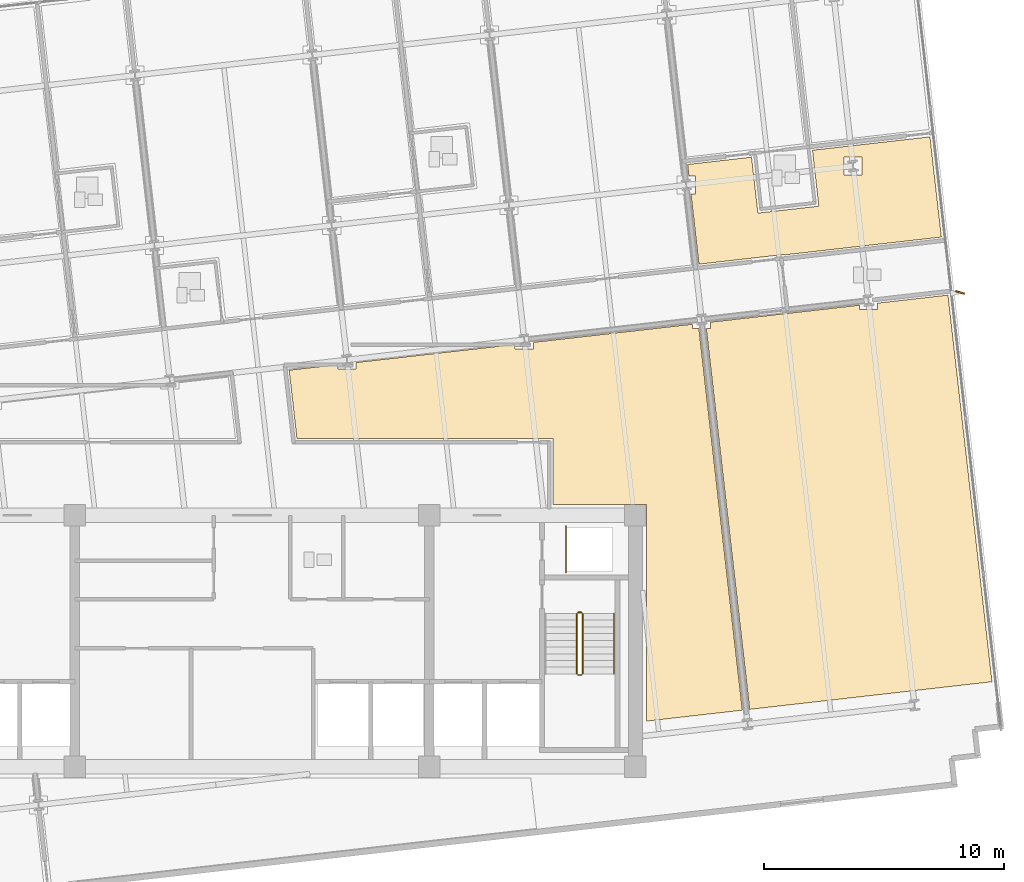
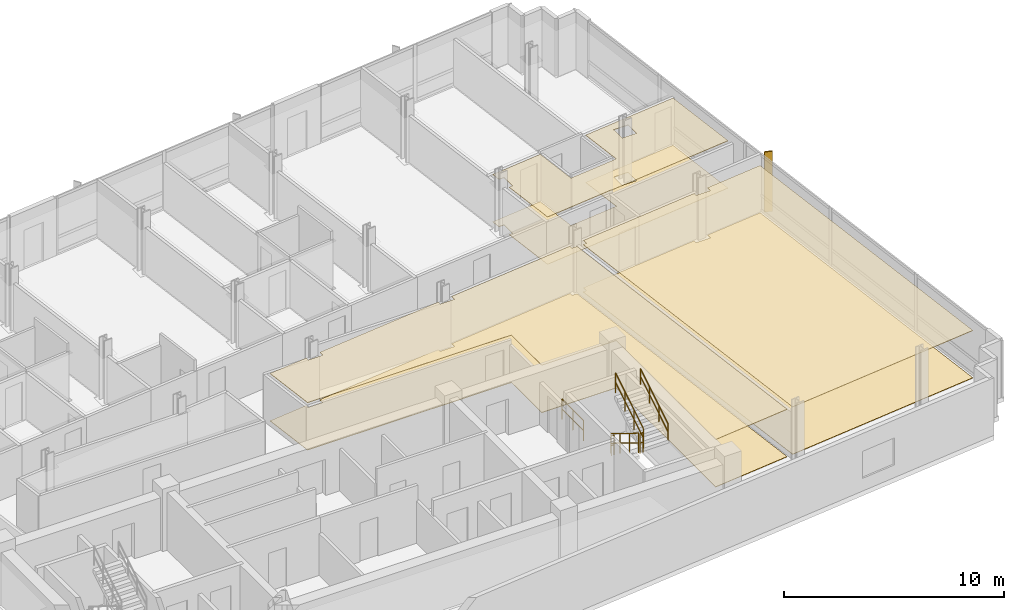
# One storey, part 14 of 16: 6 coverings, 6 railings, 1 shading device.
"""IFC4 building model written with IfcOpenShell, lengths in metres."""

import ifcopenshell
import ifcopenshell.guid

model = None  # the IFC model being written
_history = None  # IfcOwnerHistory: only IFC2X3 demands one
_inside = {}  # id of a spatial element -> (the spatial element, [elements in it])
_under = {}  # id of a project, library or spatial element -> (it, [spatial elements below it])
_declared = {}  # id of a project -> (the project, [libraries it declares])
_typed = {}  # id of a type object -> (the type object, [elements of that type])
_made_of = {}  # id of a material, layer set ... -> (it, [elements and type objects made of it])


def new_model(schema):
    """Start an empty IFC model of exactly this schema.

    Asked for "IFC4X3", IfcOpenShell would pick the latest addendum, in which some entities
    have other attributes; the version numbers below select the first issue.
    IFC2X3 requires an IfcOwnerHistory on every rooted entity: one is made here for all.
    """
    global model, _history
    if schema == "IFC4X3":
        model = ifcopenshell.file(schema_version=(4, 3, 0, 0))
    else:
        model = ifcopenshell.file(schema=schema)
    _inside.clear()
    _under.clear()
    _declared.clear()
    _typed.clear()
    _made_of.clear()
    _history = None
    if model.schema == "IFC2X3":
        org = make("IfcOrganization", Name="unknown")
        user = make(
            "IfcPersonAndOrganization",
            ThePerson=make("IfcPerson", FamilyName="unknown"),
            TheOrganization=org,
        )
        app = make(
            "IfcApplication",
            ApplicationDeveloper=org,
            Version="unknown",
            ApplicationFullName="unknown",
            ApplicationIdentifier="unknown",
        )
        _history = make(
            "IfcOwnerHistory",
            OwningUser=user,
            OwningApplication=app,
            ChangeAction="ADDED",
            CreationDate=0,
        )
    return model


def make(cls, **values):
    """One entity of the class cls with the attributes given. An attribute that is None is left unset."""
    return model.create_entity(
        cls, **{name: value for name, value in values.items() if value is not None}
    )


def rooted(cls, **values):
    """An entity with a GlobalId (a new one), such as an element, a storey or a relation."""
    return make(cls, GlobalId=ifcopenshell.guid.new(), OwnerHistory=_history, **values)


def si_unit(unit_type, name, prefix=None):
    """IfcSIUnit, for example si_unit("LENGTHUNIT", "METRE", prefix="MILLI")."""
    return make("IfcSIUnit", UnitType=unit_type, Prefix=prefix, Name=name)


def assignment(units):
    """IfcUnitAssignment: the units of a project."""
    return None if units is None else make("IfcUnitAssignment", Units=units)


def point(xyz):
    """IfcCartesianPoint."""
    return None if xyz is None else make("IfcCartesianPoint", Coordinates=xyz)


def direction(xyz):
    """IfcDirection."""
    return None if xyz is None else make("IfcDirection", DirectionRatios=xyz)


def frame(location, z_axis=None, x_axis=None):
    """IfcAxis2Placement3D, a coordinate frame: its origin and axes. An axis left out is left unset."""
    return make(
        "IfcAxis2Placement3D",
        Location=point(location),
        Axis=direction(z_axis),
        RefDirection=direction(x_axis),
    )


def frame_2d(location, x_axis=None):
    """IfcAxis2Placement2D, a coordinate frame in the plane: its origin and x axis."""
    return make(
        "IfcAxis2Placement2D", Location=point(location), RefDirection=direction(x_axis)
    )


def origin():
    """The frame at (0, 0, 0) with its axes left unset."""
    return frame((0.0, 0.0, 0.0))


def origin_2d():
    """The frame at (0, 0) in the plane with its x axis left unset."""
    return frame_2d((0.0, 0.0))


def place(relative_to, where):
    """IfcLocalPlacement: puts the frame where relative to a parent placement (None: the world)."""
    return make(
        "IfcLocalPlacement", PlacementRelTo=relative_to, RelativePlacement=where
    )


def context(
    kind, dimensions, precision=None, world=None, true_north=None, identifier=None
):
    """IfcGeometricRepresentationContext, for example the 3D "Model" context."""
    return make(
        "IfcGeometricRepresentationContext",
        ContextIdentifier=identifier,
        ContextType=kind,
        CoordinateSpaceDimension=dimensions,
        Precision=precision,
        WorldCoordinateSystem=world,
        TrueNorth=true_north,
    )


def subcontext(parent, identifier, kind, view, scale=None):
    """IfcGeometricRepresentationSubContext, for example "Body" below "Model"."""
    return make(
        "IfcGeometricRepresentationSubContext",
        ContextIdentifier=identifier,
        ContextType=kind,
        ParentContext=parent,
        TargetScale=scale,
        TargetView=view,
    )


def project(units=None, contexts=None):
    """IfcProject with its units and contexts."""
    return rooted(
        "IfcProject",
        Name="project",
        RepresentationContexts=contexts,
        UnitsInContext=assignment(units),
    )


def spatial(cls, under=None, at=None, **own):
    """A site, building, storey or space (cls), placed at a placement, below another one or the project."""
    s = rooted(cls, ObjectPlacement=at, **own)
    if under is not None:
        _under.setdefault(under.id(), (under, []))[1].append(s)
    return s


def polyline(points):
    """IfcPolyline through the points."""
    return make("IfcPolyline", Points=[point(p) for p in points])


def profile(cls, at=None, kind="AREA", **sizes):
    """A parametric profile (cls). Its sizes go by their IFC names, for example OverallWidth=200.0."""
    return make(cls, ProfileType=kind, Position=at, **sizes)


def rectangle(**sizes):
    """IfcRectangleProfileDef."""
    return profile("IfcRectangleProfileDef", **sizes)


def circle(**sizes):
    """IfcCircleProfileDef."""
    return profile("IfcCircleProfileDef", **sizes)


def outline(outer, holes=None, kind="AREA"):
    """IfcArbitraryClosedProfileDef: a profile drawn as a closed curve; with holes, ...WithVoids."""
    if holes is None:
        return make("IfcArbitraryClosedProfileDef", ProfileType=kind, OuterCurve=outer)
    return make(
        "IfcArbitraryProfileDefWithVoids",
        ProfileType=kind,
        OuterCurve=outer,
        InnerCurves=holes,
    )


def extrude(swept, where, along, depth):
    """IfcExtrudedAreaSolid: the profile swept, set in the frame where, extruded along a direction by depth."""
    return make(
        "IfcExtrudedAreaSolid",
        SweptArea=swept,
        Position=where,
        ExtrudedDirection=direction(along),
        Depth=depth,
    )


def shape(context_of_items, identifier, shape_type, items):
    """IfcShapeRepresentation: the items that make up one representation, for example the "Body"."""
    return make(
        "IfcShapeRepresentation",
        ContextOfItems=context_of_items,
        RepresentationIdentifier=identifier,
        RepresentationType=shape_type,
        Items=items,
    )


def material(Name=None, Category=None):
    """IfcMaterial."""
    return make("IfcMaterial", Name=Name, Category=Category)


def layer(
    of_material, thickness, ventilated=None, Name=None, Category=None, Priority=None
):
    """IfcMaterialLayer: one layer of a wall or slab, of a material (None: an air gap)."""
    return make(
        "IfcMaterialLayer",
        Material=of_material,
        LayerThickness=thickness,
        IsVentilated=ventilated,
        Name=Name,
        Category=Category,
        Priority=Priority,
    )


def layer_set(layers, Name=None):
    """IfcMaterialLayerSet."""
    return make("IfcMaterialLayerSet", MaterialLayers=layers, LayerSetName=Name)


def made_of(thing, what):
    """Note that an element or type object is made of a material, layer set ...; save() writes the relation."""
    if what is not None:
        _made_of.setdefault(what.id(), (what, []))[1].append(thing)
    return thing


def type_object(cls, material=None, **own):
    """A type object (cls), such as IfcWallType, which elements share."""
    return made_of(rooted(cls, **own), material)


def element(
    cls,
    number,
    at=None,
    inside=None,
    cuts=None,
    type_object=None,
    material=None,
    context=None,
    identifier="Body",
    shape_type=None,
    held_by="IfcProductDefinitionShape",
    body=None,
    shapes=None,
    **own,
):
    """One element of the class cls, such as IfcWall. Its Tag is "e" and its number.

    at: its placement. inside: the storey or other place that contains it. cuts: it is an
    opening in that element (IfcRelVoidsElement). A single representation is given by context,
    identifier, shape_type and body (its items); several are given by shapes. held_by: the class
    of the entity that holds the representations. save() writes the other relations.
    """
    e = rooted(cls, Tag="e%d" % number, ObjectPlacement=at, **own)
    if body is not None:
        shapes = [shape(context, identifier, shape_type, body)]
    if shapes is not None:
        e.Representation = make(held_by, Representations=shapes)
    if inside is not None:
        _inside.setdefault(inside.id(), (inside, []))[1].append(e)
    if cuts is not None:
        rooted(
            "IfcRelVoidsElement", RelatingBuildingElement=cuts, RelatedOpeningElement=e
        )
    if type_object is not None:
        _typed.setdefault(type_object.id(), (type_object, []))[1].append(e)
    return made_of(e, material)


def aggregate(whole, parts):
    """IfcRelAggregates: a whole, such as a stair, and the parts it consists of."""
    return rooted("IfcRelAggregates", RelatingObject=whole, RelatedObjects=parts)


def save(model, path):
    """Write the relations noted so far, then the file.

    IfcRelAggregates (storeys below a building ...), IfcRelContainedInSpatialStructure (elements
    in a storey), IfcRelDefinesByType, IfcRelAssociatesMaterial and IfcRelDeclares: one each for
    every whole, place, type object, material and project.
    """
    for whole, parts in _under.values():
        aggregate(whole, parts)
    for where, things in _inside.values():
        rooted(
            "IfcRelContainedInSpatialStructure",
            RelatedElements=things,
            RelatingStructure=where,
        )
    for kind, things in _typed.values():
        rooted("IfcRelDefinesByType", RelatedObjects=things, RelatingType=kind)
    for what, things in _made_of.values():
        rooted("IfcRelAssociatesMaterial", RelatedObjects=things, RelatingMaterial=what)
    for by, libraries in _declared.values():
        rooted("IfcRelDeclares", RelatingContext=by, RelatedDefinitions=libraries)
    model.write(path)


model = new_model("IFC4")

# Units and contexts
model_context = context("Model", 3, precision=1e-05, world=origin(), true_north=direction((0.0, 1.0)))
body_context = subcontext(model_context, "Body", "Model", "MODEL_VIEW")
ifc_project = project(units=[si_unit("LENGTHUNIT", "METRE"), si_unit("AREAUNIT", "SQUARE_METRE"), si_unit("VOLUMEUNIT", "CUBIC_METRE"), si_unit("PLANEANGLEUNIT", "RADIAN"), si_unit("MASSUNIT", "GRAM", prefix="KILO")], contexts=[model_context])

# Site, building, storey
site_placement = place(None, origin())
site = spatial("IfcSite", under=ifc_project, at=site_placement, CompositionType="ELEMENT")
building_placement = place(site_placement, origin())
building = spatial("IfcBuilding", under=site, at=building_placement, Name="Solmavex Isthmus Hotel", CompositionType="ELEMENT")
storey_placement = place(building_placement, frame((0.0, 0.0, 208.949951171875)))
storey = spatial("IfcBuildingStorey", under=building, at=storey_placement, Name="L56", CompositionType="ELEMENT", Elevation=208.949951171875)

# Coverings
ifc_material_1 = material(Name="Gypsum plasterboard lining", Category="gypsum")
ifc_layer_1 = layer(ifc_material_1, 0.030029296875)
ifc_layer_set_1 = layer_set([ifc_layer_1], Name="Gypsum plasterboard lining")
covering_type_1 = type_object("IfcCoveringType", Name="COV-CEIL-GYP", PredefinedType="CEILING", material=ifc_layer_set_1)
covering_1_placement = place(storey_placement, frame((0.0, 0.0, 2.6201171875)))
element("IfcCovering", 1, at=covering_1_placement, inside=storey, type_object=covering_type_1, Name="Suspended Acoustic Ceiling L56-ST06-FY", PredefinedType="CEILING", context=body_context, shape_type="SweptSolid", body=[
    extrude(outline(polyline([(18.177490234375, 12.14111328125), (18.23193359375, 11.6640625), (18.499267578125, 11.6640625), (18.499267578125, 10.904052734375), (18.318359375, 10.904052734375), (18.651611328125, 7.97998046875), (22.228515625, 8.3876953125), (22.230712890625, 8.36767578125), (28.766357421875, 9.1123046875), (28.2900390625, 13.293212890625), (23.3876953125, 12.73486328125), (23.65380859375, 10.39990234375), (21.1103515625, 10.110107421875), (20.84423828125, 12.445068359375), (18.177490234375, 12.14111328125)]), holes=[polyline([(24.7021484375, 11.697265625), (24.7021484375, 12.457275390625), (25.462158203125, 12.457275390625), (25.462158203125, 11.697265625), (24.7021484375, 11.697265625)])]), origin(), (0.0, 0.0, 1.0), 0.030029296875),
])
covering_2_placement = place(storey_placement, frame((0.0, 0.0, 2.6201171875)))
element("IfcCovering", 2, at=covering_2_placement, inside=storey, type_object=covering_type_1, Name="Suspended Acoustic Ceiling L56-FL13", PredefinedType="CEILING", context=body_context, shape_type="SweptSolid", body=[
    extrude(outline(polyline([(4.34228515625, 3.873779296875), (4.34228515625, 3.6064453125), (3.582275390625, 3.6064453125), (3.582275390625, 3.787109375), (1.547607421875, 3.555419921875), (1.872314453125, 0.705078125), (12.554931640625, 0.705078125), (12.554931640625, -2.044921875), (16.455078125, -2.044921875), (16.455078125, -11.09130859375), (20.46044921875, -10.634765625), (18.645751953125, 5.292236328125), (18.378662109375, 5.292236328125), (18.378662109375, 5.472900390625), (11.740478515625, 4.716796875), (11.740478515625, 4.449462890625), (10.98046875, 4.449462890625), (10.98046875, 4.630126953125), (4.34228515625, 3.873779296875)])), origin(), (0.0, 0.0, 1.0), 0.030029296875),
])
covering_3_placement = place(storey_placement, frame((0.0, 0.0, 2.6201171875)))
element("IfcCovering", 3, at=covering_3_placement, inside=storey, type_object=covering_type_1, Name="Suspended Acoustic Ceiling L56-FL14", PredefinedType="CEILING", context=body_context, shape_type="SweptSolid", body=[
    extrude(outline(polyline([(19.138427734375, 5.5595703125), (19.138427734375, 5.292236328125), (18.957763671875, 5.292236328125), (20.7685546875, -10.599853515625), (30.881103515625, -9.447509765625), (29.042724609375, 6.68798828125), (26.1015625, 6.35302734375), (26.1015625, 6.085693359375), (25.341552734375, 6.085693359375), (25.341552734375, 6.266357421875), (19.138427734375, 5.5595703125)])), origin(), (0.0, 0.0, 1.0), 0.030029296875),
])
ifc_material_2 = material(Name="Travertine natural stone", Category="masonry")
ifc_layer_2 = layer(ifc_material_2, 0.02490234375)
ifc_layer_set_2 = layer_set([ifc_layer_2], Name="Travertine natural stone")
covering_type_2 = type_object("IfcCoveringType", Name="COV-FLOR-STN", PredefinedType="FLOORING", material=ifc_layer_set_2)
covering_4_placement = place(storey_placement, origin())
element("IfcCovering", 4, at=covering_4_placement, inside=storey, type_object=covering_type_2, Name="Stone and Timber Floor Finish L56-ST06-FY", PredefinedType="FLOORING", context=body_context, shape_type="SweptSolid", body=[
    extrude(outline(polyline([(18.177490234375, 12.14111328125), (18.23193359375, 11.6640625), (18.499267578125, 11.6640625), (18.499267578125, 10.904052734375), (18.318359375, 10.904052734375), (18.651611328125, 7.97998046875), (22.228515625, 8.3876953125), (22.230712890625, 8.36767578125), (28.766357421875, 9.1123046875), (28.2900390625, 13.293212890625), (23.3876953125, 12.73486328125), (23.65380859375, 10.39990234375), (21.1103515625, 10.110107421875), (20.84423828125, 12.445068359375), (18.177490234375, 12.14111328125)]), holes=[polyline([(24.7021484375, 11.697265625), (24.7021484375, 12.457275390625), (25.462158203125, 12.457275390625), (25.462158203125, 11.697265625), (24.7021484375, 11.697265625)])]), origin(), (0.0, 0.0, 1.0), 0.025146484375),
])
covering_5_placement = place(storey_placement, origin())
element("IfcCovering", 5, at=covering_5_placement, inside=storey, type_object=covering_type_2, Name="Stone and Timber Floor Finish L56-FL13", PredefinedType="FLOORING", context=body_context, shape_type="SweptSolid", body=[
    extrude(outline(polyline([(4.34228515625, 3.873779296875), (4.34228515625, 3.6064453125), (3.582275390625, 3.6064453125), (3.582275390625, 3.787109375), (1.547607421875, 3.555419921875), (1.872314453125, 0.705078125), (12.554931640625, 0.705078125), (12.554931640625, -2.044921875), (16.455078125, -2.044921875), (16.455078125, -11.09130859375), (20.46044921875, -10.634765625), (18.645751953125, 5.292236328125), (18.378662109375, 5.292236328125), (18.378662109375, 5.472900390625), (11.740478515625, 4.716796875), (11.740478515625, 4.449462890625), (10.98046875, 4.449462890625), (10.98046875, 4.630126953125), (4.34228515625, 3.873779296875)])), origin(), (0.0, 0.0, 1.0), 0.025146484375),
])
covering_6_placement = place(storey_placement, origin())
element("IfcCovering", 6, at=covering_6_placement, inside=storey, type_object=covering_type_2, Name="Stone and Timber Floor Finish L56-FL14", PredefinedType="FLOORING", context=body_context, shape_type="SweptSolid", body=[
    extrude(outline(polyline([(19.138427734375, 5.5595703125), (19.138427734375, 5.292236328125), (18.957763671875, 5.292236328125), (20.7685546875, -10.599853515625), (30.881103515625, -9.447509765625), (29.042724609375, 6.68798828125), (26.1015625, 6.35302734375), (26.1015625, 6.085693359375), (25.341552734375, 6.085693359375), (25.341552734375, 6.266357421875), (19.138427734375, 5.5595703125)])), origin(), (0.0, 0.0, 1.0), 0.025146484375),
])

# Railings
ifc_material_3 = material(Name="Clear low-E laminated glass", Category="glass")
ifc_layer_3 = layer(ifc_material_3, 0.080078125)
ifc_layer_set_3 = layer_set([ifc_layer_3], Name="Clear low-E laminated glass")
railing_type_1 = type_object("IfcRailingType", Name="RAIL-ATRIUM-1120", PredefinedType="BALUSTRADE", material=ifc_layer_set_3)
railing_1_placement = place(storey_placement, frame((13.10009765625, -4.89990234375, 0.0)))
element("IfcRailing", 7, at=railing_1_placement, inside=storey, type_object=railing_type_1, Name="Guardrail Balustrade L56-RSE-01", PredefinedType="BALUSTRADE", context=body_context, shape_type="SweptSolid", body=[
    extrude(circle(Radius=0.02392578125, at=origin_2d()), frame((0.0, 0.0, 1.1259765625), z_axis=(0.0, 1.0, 0.0), x_axis=(-1.0, 0.0, 0.0)), (0.0, 0.0, 1.0), 1.949951171875),
    extrude(circle(Radius=0.02392578125, at=origin_2d()), frame((0.0, 0.0, 0.574951171875), z_axis=(0.0, 1.0, 0.0), x_axis=(-1.0, 0.0, 0.0)), (0.0, 0.0, 1.0), 1.949951171875),
    extrude(circle(Radius=0.02099609375, at=origin_2d()), origin(), (0.0, 0.0, 1.0), 1.101806640625),
    extrude(circle(Radius=0.02099609375, at=origin_2d()), frame((0.0, 0.97509765625, 0.0)), (0.0, 0.0, 1.0), 1.101806640625),
    extrude(circle(Radius=0.02099609375, at=origin_2d()), frame((0.0, 1.949951171875, 0.0)), (0.0, 0.0, 1.0), 1.101806640625),
])
ifc_material_4 = material(Name="Stainless steel 316", Category="steel")
ifc_layer_4 = layer(ifc_material_4, 0.06005859375)
ifc_layer_set_4 = layer_set([ifc_layer_4], Name="Stainless steel 316")
railing_type_2 = type_object("IfcRailingType", Name="RAIL-STAIR-GD", PredefinedType="GUARDRAIL", material=ifc_layer_set_4)
railing_2_placement = place(storey_placement, frame((13.550048828125, -6.60009765625, 0.172607421875)))
element("IfcRailing", 8, at=railing_2_placement, inside=storey, type_object=railing_type_2, Name="L56 ST-2 stair guard 1", PredefinedType="GUARDRAIL", context=body_context, shape_type="SweptSolid", body=[
    extrude(circle(Radius=0.02392578125, at=origin_2d()), frame((0.0, 0.0, 1.09619140625), z_axis=(0.0, -0.851400495292, 0.524516154772), x_axis=(1.0, 0.0, 0.0)), (0.0, 0.0, 1.0), 2.9599609375),
    extrude(circle(Radius=0.02392578125, at=origin_2d()), frame((0.0, 0.0, 0.56005859375), z_axis=(0.0, -0.851400495292, 0.524516154772), x_axis=(1.0, 0.0, 0.0)), (0.0, 0.0, 1.0), 2.9599609375),
    extrude(circle(Radius=0.02099609375, at=origin_2d()), origin(), (0.0, 0.0, 1.0), 1.072021484375),
    extrude(circle(Radius=0.02099609375, at=origin_2d()), frame((0.0, -0.840087890625, 0.517578125)), (0.0, 0.0, 1.0), 1.072021484375),
    extrude(circle(Radius=0.02099609375, at=origin_2d()), frame((0.0, -1.679931640625, 1.034912109375)), (0.0, 0.0, 1.0), 1.072021484375),
    extrude(circle(Radius=0.02099609375, at=origin_2d()), frame((0.0, -2.52001953125, 1.552490234375)), (0.0, 0.0, 1.0), 1.072021484375),
])
railing_3_placement = place(storey_placement, frame((13.60009765625, -9.169921875, 1.72509765625)))
element("IfcRailing", 9, at=railing_3_placement, inside=storey, type_object=railing_type_2, Name="L56 ST-2 stair guard 2", PredefinedType="GUARDRAIL", context=body_context, shape_type="SweptSolid", body=[
    extrude(circle(Radius=0.02392578125, at=origin_2d()), frame((0.0, 0.0, 1.09619140625), z_axis=(1.0, 0.0, 0.0), x_axis=(0.0, 1.0, 0.0)), (0.0, 0.0, 1.0), 0.14990234375),
    extrude(circle(Radius=0.02392578125, at=origin_2d()), frame((0.0, 0.0, 0.56005859375), z_axis=(1.0, 0.0, 0.0), x_axis=(0.0, 1.0, 0.0)), (0.0, 0.0, 1.0), 0.14990234375),
    extrude(circle(Radius=0.02099609375, at=origin_2d()), origin(), (0.0, 0.0, 1.0), 1.072021484375),
    extrude(circle(Radius=0.02099609375, at=origin_2d()), frame((0.14990234375, 0.0, 0.0)), (0.0, 0.0, 1.0), 1.072021484375),
])
railing_4_placement = place(storey_placement, frame((13.800048828125, -9.1201171875, 1.8974609375)))
element("IfcRailing", 10, at=railing_4_placement, inside=storey, type_object=railing_type_2, Name="L56 ST-2 stair guard 3", PredefinedType="GUARDRAIL", context=body_context, shape_type="SweptSolid", body=[
    extrude(circle(Radius=0.02392578125, at=origin_2d()), frame((0.0, 0.0, 1.09619140625), z_axis=(0.0, 0.851400495292, 0.524516154772), x_axis=(-1.0, 0.0, 0.0)), (0.0, 0.0, 1.0), 2.9599609375),
    extrude(circle(Radius=0.02392578125, at=origin_2d()), frame((0.0, 0.0, 0.56005859375), z_axis=(0.0, 0.851400495292, 0.524516154772), x_axis=(-1.0, 0.0, 0.0)), (0.0, 0.0, 1.0), 2.9599609375),
    extrude(circle(Radius=0.02099609375, at=origin_2d()), origin(), (0.0, 0.0, 1.0), 1.072021484375),
    extrude(circle(Radius=0.02099609375, at=origin_2d()), frame((0.0, 0.840087890625, 0.517578125)), (0.0, 0.0, 1.0), 1.072021484375),
    extrude(circle(Radius=0.02099609375, at=origin_2d()), frame((0.0, 1.679931640625, 1.034912109375)), (0.0, 0.0, 1.0), 1.072021484375),
    extrude(circle(Radius=0.02099609375, at=origin_2d()), frame((0.0, 2.52001953125, 1.552490234375)), (0.0, 0.0, 1.0), 1.072021484375),
])
railing_5_placement = place(storey_placement, frame((13.60009765625, -6.550048828125, 0.0)))
element("IfcRailing", 11, at=railing_5_placement, inside=storey, type_object=railing_type_2, Name="L56 ST-2 stair guard 4", PredefinedType="GUARDRAIL", context=body_context, shape_type="SweptSolid", body=[
    extrude(circle(Radius=0.02392578125, at=origin_2d()), frame((0.0, 0.0, 1.09619140625), z_axis=(1.0, 0.0, 0.0), x_axis=(0.0, 1.0, 0.0)), (0.0, 0.0, 1.0), 0.14990234375),
    extrude(circle(Radius=0.02392578125, at=origin_2d()), frame((0.0, 0.0, 0.56005859375), z_axis=(1.0, 0.0, 0.0), x_axis=(0.0, 1.0, 0.0)), (0.0, 0.0, 1.0), 0.14990234375),
    extrude(circle(Radius=0.02099609375, at=origin_2d()), origin(), (0.0, 0.0, 1.0), 1.072021484375),
    extrude(circle(Radius=0.02099609375, at=origin_2d()), frame((0.14990234375, 0.0, 0.0)), (0.0, 0.0, 1.0), 1.072021484375),
])
ifc_layer_5 = layer(ifc_material_4, 0.050048828125)
ifc_layer_set_5 = layer_set([ifc_layer_5], Name="Stainless steel 316")
railing_type_3 = type_object("IfcRailingType", Name="RAIL-STAIR-HR", PredefinedType="HANDRAIL", material=ifc_layer_set_5)
railing_6_placement = place(storey_placement, frame((15.10009765625, -9.1201171875, 1.8974609375)))
element("IfcRailing", 12, at=railing_6_placement, inside=storey, type_object=railing_type_3, Name="L56 ST-2 stair handrail 2", PredefinedType="HANDRAIL", context=body_context, shape_type="SweptSolid", body=[
    extrude(circle(Radius=0.02392578125, at=origin_2d()), frame((0.0, 0.0, 0.8759765625), z_axis=(0.0, 0.851400495292, 0.524516154772), x_axis=(-1.0, 0.0, 0.0)), (0.0, 0.0, 1.0), 2.9599609375),
    extrude(circle(Radius=0.02392578125, at=origin_2d()), frame((0.0, 0.0, 0.449951171875), z_axis=(0.0, 0.851400495292, 0.524516154772), x_axis=(-1.0, 0.0, 0.0)), (0.0, 0.0, 1.0), 2.9599609375),
    extrude(circle(Radius=0.02099609375, at=origin_2d()), origin(), (0.0, 0.0, 1.0), 0.851806640625),
    extrude(circle(Radius=0.02099609375, at=origin_2d()), frame((0.0, 0.840087890625, 0.517578125)), (0.0, 0.0, 1.0), 0.851806640625),
    extrude(circle(Radius=0.02099609375, at=origin_2d()), frame((0.0, 1.679931640625, 1.034912109375)), (0.0, 0.0, 1.0), 0.851806640625),
    extrude(circle(Radius=0.02099609375, at=origin_2d()), frame((0.0, 2.52001953125, 1.552490234375)), (0.0, 0.0, 1.0), 0.851806640625),
])

# Shading device
ifc_material_5 = material(Name="Aluminium alloy 6063-T6", Category="aluminium")
shading_device_type = type_object("IfcShadingDeviceType", Name="SHD-FIN-CHAMP", PredefinedType="USERDEFINED", material=ifc_material_5)
shading_device_placement = place(storey_placement, frame((29.548095703125, 6.801025390625, -0.139892578125), z_axis=(0.0, 0.0, 1.0), x_axis=(0.953716950748, -0.300705799504, 0.0)))
element("IfcShadingDevice", 13, at=shading_device_placement, inside=storey, type_object=shading_device_type, Name="Anodised Aluminium Solar Fin L56-E1", ObjectType="SOLAR_FIN", PredefinedType="USERDEFINED", context=body_context, shape_type="SweptSolid", body=[
    extrude(rectangle(XDim=0.3798828125, YDim=0.070068359375, at=origin_2d()), origin(), (0.0, 0.0, 1.0), 3.330078125),
])

save(model, "model.ifc")
